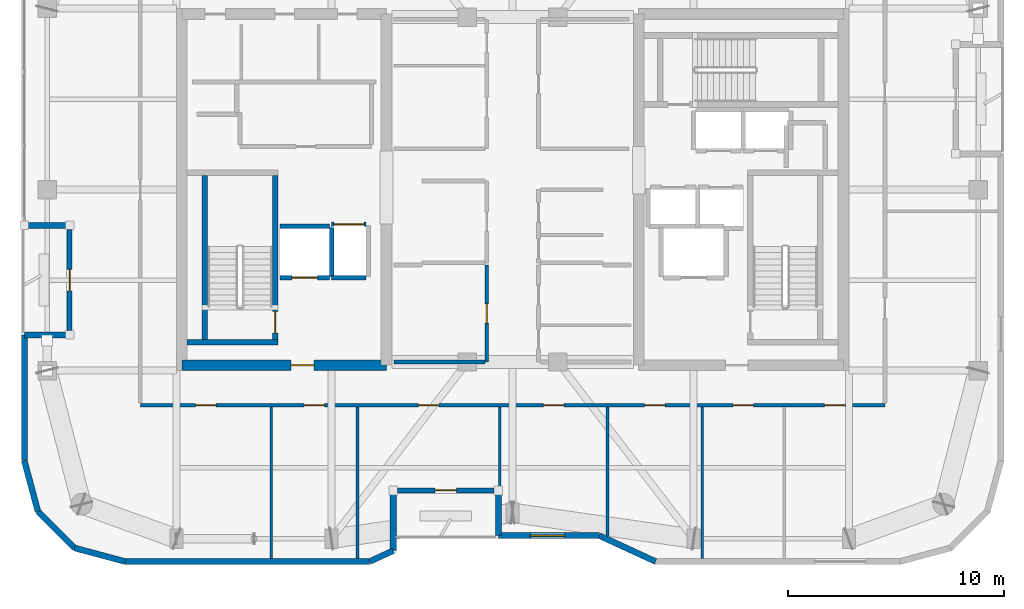
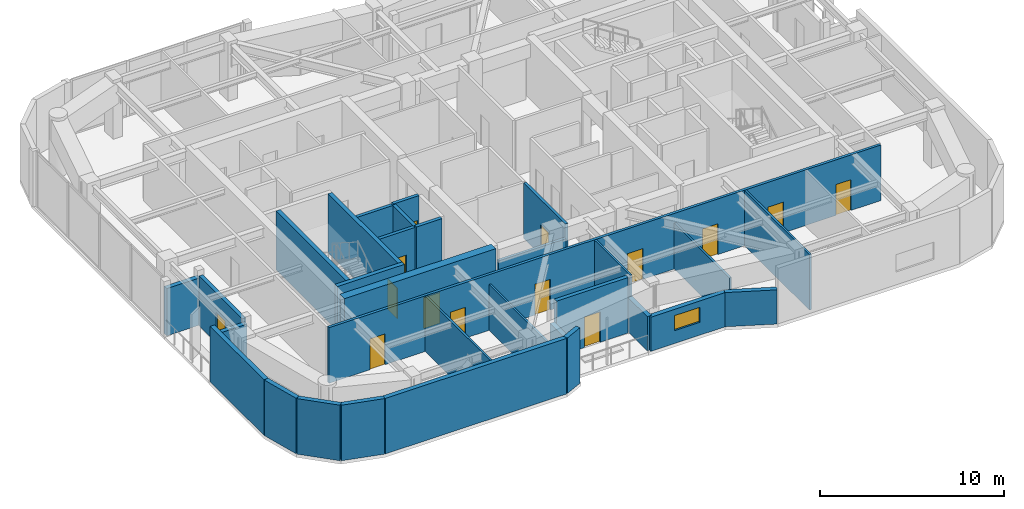
# One storey, part 10 of 15: 31 walls, 14 doors, 1 window, 15 openings.
"""IFC4 building model written with IfcOpenShell, lengths in metres."""

from ifc_helpers import new_model, si_unit, direction, frame, frame_2d, origin, place, context, subcontext, project, spatial, rectangle, extrude, material, layer, layer_set, type_object, element, fill, save


model = new_model("IFC4")

# Units and contexts
model_context = context("Model", 3, precision=1e-05, world=origin(), true_north=direction((0.0, 1.0)))
body_context = subcontext(model_context, "Body", "Model", "MODEL_VIEW")
ifc_project = project(units=[si_unit("LENGTHUNIT", "METRE"), si_unit("AREAUNIT", "SQUARE_METRE"), si_unit("VOLUMEUNIT", "CUBIC_METRE"), si_unit("PLANEANGLEUNIT", "RADIAN"), si_unit("MASSUNIT", "GRAM", prefix="KILO")], contexts=[model_context])

# Site, building, storey
site_placement = place(None, origin())
site = spatial("IfcSite", under=ifc_project, at=site_placement, CompositionType="ELEMENT")
building_placement = place(site_placement, origin())
building = spatial("IfcBuilding", under=site, at=building_placement, Name="Kiyonajd Concourse Tower", CompositionType="ELEMENT")
storey_placement = place(building_placement, frame((0.0, 0.0, 321.89990234375)))
storey = spatial("IfcBuildingStorey", under=building, at=storey_placement, Name="L81", CompositionType="ELEMENT", Elevation=321.89990234375)

# Wall, opening, door
ifc_material_1 = material(Name="Concrete C60/75", Category="concrete")
ifc_layer_1 = layer(ifc_material_1, 0.5)
ifc_layer_set_1 = layer_set([ifc_layer_1], Name="Concrete C60/75")
wall_type_1 = type_object("IfcWallType", Name="WL-CORE-500", PredefinedType="SHEAR", material=ifc_layer_set_1)
wall_1_placement = place(storey_placement, frame((32.64990234375, 27.85009765625, 0.0), z_axis=(0.0, 0.0, 1.0), x_axis=(1.0, 0.0, 0.0)))
wall_1 = element("IfcWall", 1, at=wall_1_placement, inside=storey, type_object=wall_type_1, Name="L81 West Core South Shear Wall", PredefinedType="SHEAR", context=body_context, shape_type="SweptSolid", body=[
    extrude(rectangle(XDim=9.5, YDim=0.5, at=frame_2d((4.75, 0.0))), origin(), (0.0, 0.0, 1.0), 3.900146484375),
])
opening_1_placement = place(wall_1_placement, frame((5.074951171875, 0.0, 0.0)))
opening_1 = element("IfcOpeningElement", 2, at=opening_1_placement, cuts=wall_1, Name="Opening DF5", PredefinedType="OPENING", context=body_context, shape_type="SweptSolid", body=[
    extrude(rectangle(XDim=1.050048828125, YDim=2.0400390625, at=frame_2d((0.52490234375, 1.02001953125))), frame((0.0, 0.260009765625, 0.0), z_axis=(0.0, -1.0, 0.0), x_axis=(1.0, 0.0, 0.0)), (0.0, 0.0, 1.0), 0.52001953125),
])
ifc_material_2 = material(Name="Brushed Stainless Steel Cab Assembly", Category="steel")
door_type_1 = type_object("IfcDoorType", Name="DR-FD45-1050", OperationType="NOTDEFINED", PredefinedType="DOOR", material=ifc_material_2)
door_1_placement = place(opening_1_placement, origin())
door_1 = element("IfcDoor", 3, at=door_1_placement, inside=storey, type_object=door_type_1, Name="L81 Firefighting Lift Lobby W Smoke Door", OperationType="SINGLE_SWING_LEFT", OverallHeight=2.0400390625, OverallWidth=1.050048828125, PredefinedType="DOOR", context=body_context, shape_type="SweptSolid", body=[
    extrude(rectangle(XDim=1.050048828125, YDim=2.0400390625, at=frame_2d((0.52490234375, 1.02001953125))), frame((0.0, 0.02490234375, 0.0), z_axis=(0.0, -1.0, 0.0), x_axis=(1.0, 0.0, 0.0)), (0.0, 0.0, 1.0), 0.050048828125),
])
fill(opening_1, door_1)

# Walls
ifc_material_3 = material(Name="Precast concrete C50/60", Category="concrete")
ifc_layer_2 = layer(ifc_material_3, 0.280029296875)
ifc_layer_set_2 = layer_set([ifc_layer_2], Name="Precast concrete C50/60")
wall_type_2 = type_object("IfcWallType", Name="WL-EXT-280", PredefinedType="SOLIDWALL", material=ifc_layer_set_2)
wall_2_placement = place(storey_placement, frame((25.968505859375, 21.072509765625, 0.0), z_axis=(0.0, 0.0, 1.0), x_axis=(-0.258751159445, 0.965944013639, 0.0)))
element("IfcWall", 4, at=wall_2_placement, inside=storey, type_object=wall_type_2, Name="L81 Exterior Concrete Frame Wall 00", PredefinedType="SOLIDWALL", context=body_context, shape_type="SweptSolid", body=[
    extrude(rectangle(XDim=2.4287109375, YDim=0.280029296875, at=frame_2d((1.21435546875, 0.0))), origin(), (0.0, 0.0, 1.0), 3.68017578125),
])
wall_3_placement = place(storey_placement, frame((25.340087890625, 23.41845703125, 0.0), z_axis=(0.0, 0.0, 1.0), x_axis=(0.0, 1.0, 0.0)))
element("IfcWall", 5, at=wall_3_placement, inside=storey, type_object=wall_type_2, Name="L81 Exterior Concrete Frame Wall 01", PredefinedType="SOLIDWALL", context=body_context, shape_type="SweptSolid", body=[
    extrude(rectangle(XDim=5.841552734375, YDim=0.280029296875, at=frame_2d((2.9208984375, 0.0))), origin(), (0.0, 0.0, 1.0), 3.68017578125),
])
for number, where, z_axis, x_axis, name in (
    (6, (25.340087890625, 29.260009765625, 0.0), (0.0, 0.0, 1.0), (1.0, 0.0, 0.0), "L81 Exterior Concrete Frame Wall 02"),
    (7, (27.43994140625, 34.340087890625, 0.0), (0.0, 0.0, 1.0), (-1.0, 0.0, 0.0), "L81 Exterior Concrete Frame Wall 04"),
):
    element("IfcWall", number, at=place(storey_placement, frame(where, z_axis=z_axis, x_axis=x_axis)), inside=storey, type_object=wall_type_2, Name=name, PredefinedType="SOLIDWALL", context=body_context, shape_type="SweptSolid", body=[
        extrude(rectangle(XDim=2.099853515625, YDim=0.280029296875, at=frame_2d((1.0498046875, 0.0))), origin(), (0.0, 0.0, 1.0), 3.1259765625),
    ])
wall_4_placement = place(storey_placement, frame((54.630615234375, 18.739990234375, 0.0), z_axis=(0.0, 0.0, 1.0), x_axis=(-0.907956889006, 0.419063584324, 0.0)))
element("IfcWall", 8, at=wall_4_placement, inside=storey, type_object=wall_type_2, Name="L81 Exterior Concrete Frame Wall 29", PredefinedType="SOLIDWALL", context=body_context, shape_type="SweptSolid", body=[
    extrude(rectangle(XDim=2.863525390625, YDim=0.280029296875, at=frame_2d((1.431640625, 0.0))), origin(), (0.0, 0.0, 1.0), 2.26513671875),
])

# Wall, opening, window
wall_5_placement = place(storey_placement, frame((52.03076171875, 19.93994140625, 0.0), z_axis=(0.0, 0.0, 1.0), x_axis=(-1.0, 0.0, 0.0)))
wall_5 = element("IfcWall", 9, at=wall_5_placement, inside=storey, type_object=wall_type_2, Name="L81 Exterior Concrete Frame Wall 30", PredefinedType="SOLIDWALL", context=body_context, shape_type="SweptSolid", body=[
    extrude(rectangle(XDim=4.690673828125, YDim=0.280029296875, at=frame_2d((2.34521484375, 0.0))), origin(), (0.0, 0.0, 1.0), 2.26513671875),
])
opening_2_placement = place(wall_5_placement, frame((1.610107421875, 0.0, 0.85009765625)))
opening_2 = element("IfcOpeningElement", 10, at=opening_2_placement, cuts=wall_5, Name="Opening WN6", PredefinedType="OPENING", context=body_context, shape_type="SweptSolid", body=[
    extrude(rectangle(XDim=1.60009765625, YDim=1.0, at=frame_2d((0.800048828125, 0.5))), frame((0.0, 0.14990234375, 0.0), z_axis=(0.0, -1.0, 0.0), x_axis=(1.0, 0.0, 0.0)), (0.0, 0.0, 1.0), 0.300048828125),
])
ifc_material_4 = material(Name="Double Low-E Insulated Glass", Category="glass")
window_type = type_object("IfcWindowType", Name="WN-VIS-1600x1000", PartitioningType="SINGLE_PANEL", PredefinedType="WINDOW", material=ifc_material_4)
window_placement = place(opening_2_placement, origin())
window = element("IfcWindow", 11, at=window_placement, inside=storey, type_object=window_type, Name="L81 Modular Facade Vision Window 30", OverallHeight=1.0, OverallWidth=1.60009765625, PartitioningType="SINGLE_PANEL", PredefinedType="WINDOW", context=body_context, shape_type="SweptSolid", body=[
    extrude(rectangle(XDim=1.60009765625, YDim=1.0, at=frame_2d((0.800048828125, 0.5))), frame((0.0, 0.030029296875, 0.0), z_axis=(0.0, -1.0, 0.0), x_axis=(1.0, 0.0, 0.0)), (0.0, 0.0, 1.0), 0.06005859375),
])
fill(opening_2, window)

# Walls
wall_6_placement = place(storey_placement, frame((47.340087890625, 19.93994140625, 0.0), z_axis=(0.0, 0.0, 1.0), x_axis=(0.0, 1.0, 0.0)))
element("IfcWall", 12, at=wall_6_placement, inside=storey, type_object=wall_type_2, Name="L81 Exterior Concrete Frame Wall 31", PredefinedType="SOLIDWALL", context=body_context, shape_type="SweptSolid", body=[
    extrude(rectangle(XDim=2.10009765625, YDim=0.280029296875, at=frame_2d((1.050048828125, 0.0))), origin(), (0.0, 0.0, 1.0), 2.26513671875),
])
wall_7_placement = place(storey_placement, frame((42.4599609375, 22.0400390625, 0.0), z_axis=(0.0, 0.0, 1.0), x_axis=(0.0, -1.0, 0.0)))
element("IfcWall", 13, at=wall_7_placement, inside=storey, type_object=wall_type_2, Name="L81 Exterior Concrete Frame Wall 33", PredefinedType="SOLIDWALL", context=body_context, shape_type="SweptSolid", body=[
    extrude(rectangle(XDim=2.79638671875, YDim=0.280029296875, at=frame_2d((1.398193359375, 0.0))), origin(), (0.0, 0.0, 1.0), 2.26513671875),
])
wall_8_placement = place(storey_placement, frame((42.4599609375, 19.24365234375, 0.0), z_axis=(0.0, 0.0, 1.0), x_axis=(-0.907893953211, -0.419199916176, 0.0)))
element("IfcWall", 14, at=wall_8_placement, inside=storey, type_object=wall_type_2, Name="L81 Exterior Concrete Frame Wall 34", PredefinedType="SOLIDWALL", context=body_context, shape_type="SweptSolid", body=[
    extrude(rectangle(XDim=1.201416015625, YDim=0.280029296875, at=frame_2d((0.6005859375, 0.0))), origin(), (0.0, 0.0, 1.0), 3.68017578125),
])
wall_9_placement = place(storey_placement, frame((41.369140625, 18.739990234375, 0.0), z_axis=(0.0, 0.0, 1.0), x_axis=(-1.0, 0.0, 0.0)))
element("IfcWall", 15, at=wall_9_placement, inside=storey, type_object=wall_type_2, Name="L81 Exterior Concrete Frame Wall 35", PredefinedType="SOLIDWALL", context=body_context, shape_type="SweptSolid", body=[
    extrude(rectangle(XDim=11.350830078125, YDim=0.280029296875, at=frame_2d((5.67529296875, 0.0))), origin(), (0.0, 0.0, 1.0), 3.68017578125),
])
wall_10_placement = place(storey_placement, frame((30.018310546875, 18.739990234375, 0.0), z_axis=(0.0, 0.0, 1.0), x_axis=(-0.965937282298, 0.25877628691, 0.0)))
element("IfcWall", 16, at=wall_10_placement, inside=storey, type_object=wall_type_2, Name="L81 Exterior Concrete Frame Wall 36", PredefinedType="SOLIDWALL", context=body_context, shape_type="SweptSolid", body=[
    extrude(rectangle(XDim=2.428466796875, YDim=0.280029296875, at=frame_2d((1.21435546875, 0.0))), origin(), (0.0, 0.0, 1.0), 3.68017578125),
])
wall_11_placement = place(storey_placement, frame((27.672607421875, 19.368408203125, 0.0), z_axis=(0.0, 0.0, 1.0), x_axis=(-0.707106781187, 0.707106781187, 0.0)))
element("IfcWall", 17, at=wall_11_placement, inside=storey, type_object=wall_type_2, Name="L81 Exterior Concrete Frame Wall 37", PredefinedType="SOLIDWALL", context=body_context, shape_type="SweptSolid", body=[
    extrude(rectangle(XDim=2.409912109375, YDim=0.280029296875, at=frame_2d((1.205078125, 0.0))), origin(), (0.0, 0.0, 1.0), 3.68017578125),
])

# Wall, opening, door
ifc_layer_3 = layer(ifc_material_3, 0.239990234375)
ifc_layer_set_3 = layer_set([ifc_layer_3], Name="Precast concrete C50/60")
wall_type_3 = type_object("IfcWallType", Name="WL-LOG-240", PredefinedType="SOLIDWALL", material=ifc_layer_set_3)
wall_12_placement = place(storey_placement, frame((27.43994140625, 29.455078125, 0.0), z_axis=(0.0, 0.0, 1.0), x_axis=(0.0, 1.0, 0.0)))
wall_12 = element("IfcWall", 18, at=wall_12_placement, inside=storey, type_object=wall_type_3, Name="L81 Recessed Loggia Thermal Wall LOG-W", PredefinedType="SOLIDWALL", context=body_context, shape_type="SweptSolid", body=[
    extrude(rectangle(XDim=4.68994140625, YDim=0.239990234375, at=frame_2d((2.344970703125, 0.0))), origin(), (0.0, 0.0, 1.0), 3.31103515625),
])
opening_3_placement = place(wall_12_placement, frame((1.844970703125, 0.0, 0.0)))
opening_3 = element("IfcOpeningElement", 19, at=opening_3_placement, cuts=wall_12, Name="Opening DL1", PredefinedType="OPENING", context=body_context, shape_type="SweptSolid", body=[
    extrude(rectangle(XDim=1.0, YDim=2.02001953125, at=frame_2d((0.5, 1.010009765625))), frame((0.0, 0.1298828125, 0.0), z_axis=(0.0, -1.0, 0.0), x_axis=(1.0, 0.0, 0.0)), (0.0, 0.0, 1.0), 0.260009765625),
])
ifc_material_5 = material(Name="Thermally Broken Anodised Aluminium", Category="aluminium")
door_type_2 = type_object("IfcDoorType", Name="DR-LOG-1000", OperationType="NOTDEFINED", PredefinedType="DOOR", material=ifc_material_5)
door_2_placement = place(opening_3_placement, origin())
door_2 = element("IfcDoor", 20, at=door_2_placement, inside=storey, type_object=door_type_2, Name="L81 Engawa Loggia Access Door LOG-W", OperationType="SINGLE_SWING_LEFT", OverallHeight=2.02001953125, OverallWidth=1.0, PredefinedType="DOOR", context=body_context, shape_type="SweptSolid", body=[
    extrude(rectangle(XDim=1.0, YDim=2.02001953125, at=frame_2d((0.5, 1.010009765625))), frame((0.0, 0.02490234375, 0.0), z_axis=(0.0, -1.0, 0.0), x_axis=(1.0, 0.0, 0.0)), (0.0, 0.0, 1.0), 0.050048828125),
])
fill(opening_3, door_2)

wall_13_placement = place(storey_placement, frame((47.14501953125, 22.0400390625, 0.0), z_axis=(0.0, 0.0, 1.0), x_axis=(-1.0, 0.0, 0.0)))
wall_13 = element("IfcWall", 21, at=wall_13_placement, inside=storey, type_object=wall_type_3, Name="L81 Recessed Loggia Thermal Wall LOG-S", PredefinedType="SOLIDWALL", context=body_context, shape_type="SweptSolid", body=[
    extrude(rectangle(XDim=4.489990234375, YDim=0.239990234375, at=frame_2d((2.2451171875, 0.0))), origin(), (0.0, 0.0, 1.0), 3.68017578125),
])
opening_4_placement = place(wall_13_placement, frame((1.7451171875, 0.0, 0.0)))
opening_4 = element("IfcOpeningElement", 22, at=opening_4_placement, cuts=wall_13, Name="Opening DL1", PredefinedType="OPENING", context=body_context, shape_type="SweptSolid", body=[
    extrude(rectangle(XDim=1.0, YDim=2.02001953125, at=frame_2d((0.5, 1.010009765625))), frame((0.0, 0.1298828125, 0.0), z_axis=(0.0, -1.0, 0.0), x_axis=(1.0, 0.0, 0.0)), (0.0, 0.0, 1.0), 0.260009765625),
])
door_3_placement = place(opening_4_placement, origin())
door_3 = element("IfcDoor", 23, at=door_3_placement, inside=storey, type_object=door_type_2, Name="L81 Engawa Loggia Access Door LOG-S", OperationType="SINGLE_SWING_RIGHT", OverallHeight=2.02001953125, OverallWidth=1.0, PredefinedType="DOOR", context=body_context, shape_type="SweptSolid", body=[
    extrude(rectangle(XDim=1.0, YDim=2.02001953125, at=frame_2d((0.5, 1.010009765625))), frame((0.0, 0.02490234375, 0.0), z_axis=(0.0, -1.0, 0.0), x_axis=(1.0, 0.0, 0.0)), (0.0, 0.0, 1.0), 0.050048828125),
])
fill(opening_4, door_3)

# Walls
ifc_material_6 = material(Name="Gypsum Board on Cold-Formed Steel Stud", Category="steel")
ifc_layer_4 = layer(ifc_material_6, 0.125)
ifc_layer_set_4 = layer_set([ifc_layer_4], Name="Gypsum Board on Cold-Formed Steel Stud")
wall_type_4 = type_object("IfcWallType", Name="WL-PART-125", PredefinedType="PARTITIONING", material=ifc_layer_set_4)
wall_14_placement = place(storey_placement, frame((36.800048828125, 18.875, 0.0), z_axis=(0.0, 0.0, 1.0), x_axis=(0.0, 1.0, 0.0)))
element("IfcWall", 24, at=wall_14_placement, inside=storey, type_object=wall_type_4, Name="L81 Interior Partition Wall", PredefinedType="PARTITIONING", context=body_context, shape_type="SweptSolid", body=[
    extrude(rectangle(XDim=7.0380859375, YDim=0.125, at=frame_2d((3.51904296875, 0.0))), origin(), (0.0, 0.0, 1.0), 3.68017578125),
])
wall_15_placement = place(storey_placement, frame((40.800048828125, 18.875, 0.0), z_axis=(0.0, 0.0, 1.0), x_axis=(0.0, 1.0, 0.0)))
element("IfcWall", 25, at=wall_15_placement, inside=storey, type_object=wall_type_4, Name="L81 Interior Partition Wall", PredefinedType="PARTITIONING", context=body_context, shape_type="SweptSolid", body=[
    extrude(rectangle(XDim=7.0380859375, YDim=0.125, at=frame_2d((3.51904296875, 0.0))), origin(), (0.0, 0.0, 1.0), 3.043212890625),
])
wall_16_placement = place(storey_placement, frame((47.39990234375, 22.0400390625, 0.0), z_axis=(0.0, 0.0, 1.0), x_axis=(0.0, 1.0, 0.0)))
element("IfcWall", 26, at=wall_16_placement, inside=storey, type_object=wall_type_4, Name="L81 Interior Partition Wall", PredefinedType="PARTITIONING", context=body_context, shape_type="SweptSolid", body=[
    extrude(rectangle(XDim=3.873046875, YDim=0.125, at=frame_2d((1.9365234375, 0.0))), origin(), (0.0, 0.0, 1.0), 3.68017578125),
])
wall_17_placement = place(storey_placement, frame((52.39990234375, 19.9208984375, 0.0), z_axis=(0.0, 0.0, 1.0), x_axis=(0.0, 1.0, 0.0)))
element("IfcWall", 27, at=wall_17_placement, inside=storey, type_object=wall_type_4, Name="L81 Interior Partition Wall", PredefinedType="PARTITIONING", context=body_context, shape_type="SweptSolid", body=[
    extrude(rectangle(XDim=5.9921875, YDim=0.125, at=frame_2d((2.99609375, 0.0))), origin(), (0.0, 0.0, 1.0), 3.043212890625),
])
wall_18_placement = place(storey_placement, frame((56.800048828125, 18.875, 0.0), z_axis=(0.0, 0.0, 1.0), x_axis=(0.0, 1.0, 0.0)))
element("IfcWall", 28, at=wall_18_placement, inside=storey, type_object=wall_type_4, Name="L81 Interior Partition Wall", PredefinedType="PARTITIONING", context=body_context, shape_type="SweptSolid", body=[
    extrude(rectangle(XDim=7.0380859375, YDim=0.125, at=frame_2d((3.51904296875, 0.0))), origin(), (0.0, 0.0, 1.0), 3.68017578125),
])

# Wall, opening, door
ifc_layer_5 = layer(ifc_material_6, 0.2099609375)
ifc_layer_set_5 = layer_set([ifc_layer_5], Name="Gypsum Board on Cold-Formed Steel Stud")
wall_type_5 = type_object("IfcWallType", Name="WL-SHAFT-210", PredefinedType="PARTITIONING", material=ifc_layer_set_5)
wall_19_placement = place(storey_placement, frame((37.199951171875, 31.89990234375, 0.0), z_axis=(0.0, 0.0, 1.0), x_axis=(1.0, 0.0, 0.0)))
wall_19 = element("IfcWall", 29, at=wall_19_placement, inside=storey, type_object=wall_type_5, Name="L81 Shaft Enclosure Wall", PredefinedType="PARTITIONING", context=body_context, shape_type="SweptSolid", body=[
    extrude(rectangle(XDim=2.300048828125, YDim=0.2099609375, at=frame_2d((1.14990234375, 0.0))), origin(), (0.0, 0.0, 1.0), 3.68017578125),
])
opening_5_placement = place(wall_19_placement, frame((0.550048828125, 0.0, 0.0)))
opening_5 = element("IfcOpeningElement", 30, at=opening_5_placement, cuts=wall_19, Name="Opening LD2", PredefinedType="OPENING", context=body_context, shape_type="SweptSolid", body=[
    extrude(rectangle(XDim=1.199951171875, YDim=2.0400390625, at=frame_2d((0.60009765625, 1.02001953125))), frame((0.0, 0.114990234375, 0.0), z_axis=(0.0, -1.0, 0.0), x_axis=(1.0, 0.0, 0.0)), (0.0, 0.0, 1.0), 0.22998046875),
])
door_type_3 = type_object("IfcDoorType", Name="DR-LD-1200", OperationType="DOUBLE_DOOR_SLIDING", PredefinedType="DOOR", material=ifc_material_2)
door_4_placement = place(opening_5_placement, origin())
door_4 = element("IfcDoor", 31, at=door_4_placement, inside=storey, type_object=door_type_3, Name="L81 Lift FFL1 Sliding Landing Door", OperationType="DOUBLE_DOOR_SLIDING", OverallHeight=2.0400390625, OverallWidth=1.199951171875, PredefinedType="DOOR", context=body_context, shape_type="SweptSolid", body=[
    extrude(rectangle(XDim=1.199951171875, YDim=2.0400390625, at=frame_2d((0.60009765625, 1.02001953125))), frame((0.0, 0.02490234375, 0.0), z_axis=(0.0, -1.0, 0.0), x_axis=(1.0, 0.0, 0.0)), (0.0, 0.0, 1.0), 0.050048828125),
])
fill(opening_5, door_4)

# Walls
wall_20_placement = place(storey_placement, frame((37.199951171875, 34.300048828125, 0.0), z_axis=(0.0, 0.0, 1.0), x_axis=(1.0, 0.0, 0.0)))
element("IfcWall", 32, at=wall_20_placement, inside=storey, type_object=wall_type_5, Name="L81 Shaft Enclosure Wall", PredefinedType="PARTITIONING", context=body_context, shape_type="SweptSolid", body=[
    extrude(rectangle(XDim=2.300048828125, YDim=0.2099609375, at=frame_2d((1.14990234375, 0.0))), origin(), (0.0, 0.0, 1.0), 3.68017578125),
])
wall_21_placement = place(storey_placement, frame((39.60009765625, 31.9599609375, 0.0), z_axis=(0.0, 0.0, 1.0), x_axis=(0.0, 1.0, 0.0)))
element("IfcWall", 33, at=wall_21_placement, inside=storey, type_object=wall_type_5, Name="L81 Shaft Enclosure Wall", PredefinedType="PARTITIONING", context=body_context, shape_type="SweptSolid", body=[
    extrude(rectangle(XDim=2.280029296875, YDim=0.2099609375, at=frame_2d((1.14013671875, 0.0))), origin(), (0.0, 0.0, 1.0), 3.68017578125),
])

# Wall, opening, door
wall_22_placement = place(storey_placement, frame((39.60009765625, 34.39990234375, 0.0), z_axis=(0.0, 0.0, 1.0), x_axis=(1.0, 0.0, 0.0)))
wall_22 = element("IfcWall", 34, at=wall_22_placement, inside=storey, type_object=wall_type_5, Name="L81 Shaft Enclosure Wall", PredefinedType="PARTITIONING", context=body_context, shape_type="SweptSolid", body=[
    extrude(rectangle(XDim=1.599853515625, YDim=0.2099609375, at=frame_2d((0.7998046875, 0.0))), origin(), (0.0, 0.0, 1.0), 3.68017578125),
])
opening_6_placement = place(wall_22_placement, frame((0.10009765625, 0.0, 0.0)))
opening_6 = element("IfcOpeningElement", 35, at=opening_6_placement, cuts=wall_22, Name="Opening LD3", PredefinedType="OPENING", context=body_context, shape_type="SweptSolid", body=[
    extrude(rectangle(XDim=1.39990234375, YDim=2.06005859375, at=frame_2d((0.699951171875, 1.030029296875))), frame((0.0, 0.114990234375, 0.0), z_axis=(0.0, -1.0, 0.0), x_axis=(1.0, 0.0, 0.0)), (0.0, 0.0, 1.0), 0.22998046875),
])
door_type_4 = type_object("IfcDoorType", Name="DR-LD-1400", OperationType="DOUBLE_DOOR_SLIDING", PredefinedType="DOOR", material=ifc_material_2)
door_5_placement = place(opening_6_placement, origin())
door_5 = element("IfcDoor", 36, at=door_5_placement, inside=storey, type_object=door_type_4, Name="L81 Lift SVL1 Sliding Landing Door", OperationType="DOUBLE_DOOR_SLIDING", OverallHeight=2.06005859375, OverallWidth=1.39990234375, PredefinedType="DOOR", context=body_context, shape_type="SweptSolid", body=[
    extrude(rectangle(XDim=1.39990234375, YDim=2.06005859375, at=frame_2d((0.699951171875, 1.030029296875))), frame((0.0, 0.02490234375, 0.0), z_axis=(0.0, -1.0, 0.0), x_axis=(1.0, 0.0, 0.0)), (0.0, 0.0, 1.0), 0.050048828125),
])
fill(opening_6, door_5)

# Wall
wall_23_placement = place(storey_placement, frame((39.60009765625, 31.89990234375, 0.0), z_axis=(0.0, 0.0, 1.0), x_axis=(1.0, 0.0, 0.0)))
element("IfcWall", 37, at=wall_23_placement, inside=storey, type_object=wall_type_5, Name="L81 Shaft Enclosure Wall", PredefinedType="PARTITIONING", context=body_context, shape_type="SweptSolid", body=[
    extrude(rectangle(XDim=1.599853515625, YDim=0.2099609375, at=frame_2d((0.7998046875, 0.0))), origin(), (0.0, 0.0, 1.0), 3.68017578125),
])

# Wall, opening, door
ifc_layer_6 = layer(ifc_material_6, 0.169921875)
ifc_layer_set_6 = layer_set([ifc_layer_6], Name="Gypsum Board on Cold-Formed Steel Stud")
wall_type_6 = type_object("IfcWallType", Name="WL-SMK-170", PredefinedType="PARTITIONING", material=ifc_layer_set_6)
wall_24_placement = place(storey_placement, frame((46.800048828125, 28.0, 0.0), z_axis=(0.0, 0.0, 1.0), x_axis=(0.0, 1.0, 0.0)))
wall_24 = element("IfcWall", 38, at=wall_24_placement, inside=storey, type_object=wall_type_6, Name="L81 Interior Partition Wall", PredefinedType="PARTITIONING", context=body_context, shape_type="SweptSolid", body=[
    extrude(rectangle(XDim=4.5, YDim=0.169921875, at=frame_2d((2.25, 0.0))), origin(), (0.0, 0.0, 1.0), 3.68017578125),
])
opening_7_placement = place(wall_24_placement, frame((1.800048828125, 0.0, 0.0)))
opening_7 = element("IfcOpeningElement", 39, at=opening_7_placement, cuts=wall_24, Name="Opening DI2", PredefinedType="OPENING", context=body_context, shape_type="SweptSolid", body=[
    extrude(rectangle(XDim=0.89990234375, YDim=2.02001953125, at=frame_2d((0.449951171875, 1.010009765625))), frame((0.0, 0.094970703125, 0.0), z_axis=(0.0, -1.0, 0.0), x_axis=(1.0, 0.0, 0.0)), (0.0, 0.0, 1.0), 0.18994140625),
])
ifc_material_7 = material(Name="Natural Oak Acoustic Timber Veneer", Category="wood")
door_type_5 = type_object("IfcDoorType", Name="DR-INT-900", OperationType="NOTDEFINED", PredefinedType="DOOR", material=ifc_material_7)
door_6_placement = place(opening_7_placement, origin())
door_6 = element("IfcDoor", 40, at=door_6_placement, inside=storey, type_object=door_type_5, Name="L81 Interior Door", OperationType="SINGLE_SWING_LEFT", OverallHeight=2.02001953125, OverallWidth=0.89990234375, PredefinedType="DOOR", context=body_context, shape_type="SweptSolid", body=[
    extrude(rectangle(XDim=0.89990234375, YDim=2.02001953125, at=frame_2d((0.449951171875, 1.010009765625))), frame((0.0, 0.02490234375, 0.0), z_axis=(0.0, -1.0, 0.0), x_axis=(1.0, 0.0, 0.0)), (0.0, 0.0, 1.0), 0.050048828125),
])
fill(opening_7, door_6)

# Wall
wall_25_placement = place(storey_placement, frame((42.5, 28.0, 0.0), z_axis=(0.0, 0.0, 1.0), x_axis=(1.0, 0.0, 0.0)))
element("IfcWall", 41, at=wall_25_placement, inside=storey, type_object=wall_type_6, Name="L81 Interior Partition Wall", PredefinedType="PARTITIONING", context=body_context, shape_type="SweptSolid", body=[
    extrude(rectangle(XDim=4.212890625, YDim=0.169921875, at=frame_2d((2.1064453125, 0.0))), origin(), (0.0, 0.0, 1.0), 2.76513671875),
])

# Wall, openings, doors
wall_26_placement = place(storey_placement, frame((30.72509765625, 26.0, 0.0), z_axis=(0.0, 0.0, 1.0), x_axis=(1.0, 0.0, 0.0)))
wall_26 = element("IfcWall", 42, at=wall_26_placement, inside=storey, type_object=wall_type_6, Name="L81 Interior Partition Wall", PredefinedType="PARTITIONING", context=body_context, shape_type="SweptSolid", body=[
    extrude(rectangle(XDim=34.5498046875, YDim=0.169921875, at=frame_2d((17.27490234375, 0.0))), origin(), (0.0, 0.0, 1.0), 3.68017578125),
])
opening_8_placement = place(wall_26_placement, frame((2.56298828125, 0.0, 0.0)))
opening_8 = element("IfcOpeningElement", 43, at=opening_8_placement, cuts=wall_26, Name="Opening DI1", PredefinedType="OPENING", context=body_context, shape_type="SweptSolid", body=[
    extrude(rectangle(XDim=0.949951171875, YDim=2.0400390625, at=frame_2d((0.47509765625, 1.02001953125))), frame((0.0, 0.094970703125, 0.0), z_axis=(0.0, -1.0, 0.0), x_axis=(1.0, 0.0, 0.0)), (0.0, 0.0, 1.0), 0.18994140625),
])
opening_9_placement = place(wall_26_placement, frame((7.60009765625, 0.0, 0.0)))
opening_9 = element("IfcOpeningElement", 44, at=opening_9_placement, cuts=wall_26, Name="Opening DI1", PredefinedType="OPENING", context=body_context, shape_type="SweptSolid", body=[
    extrude(rectangle(XDim=0.949951171875, YDim=2.0400390625, at=frame_2d((0.47509765625, 1.02001953125))), frame((0.0, 0.094970703125, 0.0), z_axis=(0.0, -1.0, 0.0), x_axis=(1.0, 0.0, 0.0)), (0.0, 0.0, 1.0), 0.18994140625),
])
opening_10_placement = place(wall_26_placement, frame((12.89990234375, 0.0, 0.0)))
opening_10 = element("IfcOpeningElement", 45, at=opening_10_placement, cuts=wall_26, Name="Opening DI1", PredefinedType="OPENING", context=body_context, shape_type="SweptSolid", body=[
    extrude(rectangle(XDim=0.949951171875, YDim=2.0400390625, at=frame_2d((0.47509765625, 1.02001953125))), frame((0.0, 0.094970703125, 0.0), z_axis=(0.0, -1.0, 0.0), x_axis=(1.0, 0.0, 0.0)), (0.0, 0.0, 1.0), 0.18994140625),
])
opening_11_placement = place(wall_26_placement, frame((18.699951171875, 0.0, 0.0)))
opening_11 = element("IfcOpeningElement", 46, at=opening_11_placement, cuts=wall_26, Name="Opening DI1", PredefinedType="OPENING", context=body_context, shape_type="SweptSolid", body=[
    extrude(rectangle(XDim=0.949951171875, YDim=2.0400390625, at=frame_2d((0.47509765625, 1.02001953125))), frame((0.0, 0.094970703125, 0.0), z_axis=(0.0, -1.0, 0.0), x_axis=(1.0, 0.0, 0.0)), (0.0, 0.0, 1.0), 0.18994140625),
])
opening_12_placement = place(wall_26_placement, frame((23.39990234375, 0.0, 0.0)))
opening_12 = element("IfcOpeningElement", 47, at=opening_12_placement, cuts=wall_26, Name="Opening DI1", PredefinedType="OPENING", context=body_context, shape_type="SweptSolid", body=[
    extrude(rectangle(XDim=0.949951171875, YDim=2.0400390625, at=frame_2d((0.47509765625, 1.02001953125))), frame((0.0, 0.094970703125, 0.0), z_axis=(0.0, -1.0, 0.0), x_axis=(1.0, 0.0, 0.0)), (0.0, 0.0, 1.0), 0.18994140625),
])
opening_13_placement = place(wall_26_placement, frame((27.5, 0.0, 0.0)))
opening_13 = element("IfcOpeningElement", 48, at=opening_13_placement, cuts=wall_26, Name="Opening DI1", PredefinedType="OPENING", context=body_context, shape_type="SweptSolid", body=[
    extrude(rectangle(XDim=0.949951171875, YDim=2.0400390625, at=frame_2d((0.47509765625, 1.02001953125))), frame((0.0, 0.094970703125, 0.0), z_axis=(0.0, -1.0, 0.0), x_axis=(1.0, 0.0, 0.0)), (0.0, 0.0, 1.0), 0.18994140625),
])
opening_14_placement = place(wall_26_placement, frame((31.738037109375, 0.0, 0.0)))
opening_14 = element("IfcOpeningElement", 49, at=opening_14_placement, cuts=wall_26, Name="Opening DI1", PredefinedType="OPENING", context=body_context, shape_type="SweptSolid", body=[
    extrude(rectangle(XDim=0.949951171875, YDim=2.0400390625, at=frame_2d((0.47509765625, 1.02001953125))), frame((0.0, 0.094970703125, 0.0), z_axis=(0.0, -1.0, 0.0), x_axis=(1.0, 0.0, 0.0)), (0.0, 0.0, 1.0), 0.18994140625),
])
door_type_6 = type_object("IfcDoorType", Name="DR-INT-950", OperationType="NOTDEFINED", PredefinedType="DOOR", material=ifc_material_7)
door_7_placement = place(opening_8_placement, origin())
door_7 = element("IfcDoor", 50, at=door_7_placement, inside=storey, type_object=door_type_6, Name="L81 Interior Door", OperationType="SINGLE_SWING_LEFT", OverallHeight=2.0400390625, OverallWidth=0.949951171875, PredefinedType="DOOR", context=body_context, shape_type="SweptSolid", body=[
    extrude(rectangle(XDim=0.949951171875, YDim=2.0400390625, at=frame_2d((0.47509765625, 1.02001953125))), frame((0.0, 0.02490234375, 0.0), z_axis=(0.0, -1.0, 0.0), x_axis=(1.0, 0.0, 0.0)), (0.0, 0.0, 1.0), 0.050048828125),
])
fill(opening_8, door_7)
door_8_placement = place(opening_9_placement, origin())
door_8 = element("IfcDoor", 51, at=door_8_placement, inside=storey, type_object=door_type_6, Name="L81 Interior Door", OperationType="SINGLE_SWING_RIGHT", OverallHeight=2.0400390625, OverallWidth=0.949951171875, PredefinedType="DOOR", context=body_context, shape_type="SweptSolid", body=[
    extrude(rectangle(XDim=0.949951171875, YDim=2.0400390625, at=frame_2d((0.47509765625, 1.02001953125))), frame((0.0, 0.02490234375, 0.0), z_axis=(0.0, -1.0, 0.0), x_axis=(1.0, 0.0, 0.0)), (0.0, 0.0, 1.0), 0.050048828125),
])
fill(opening_9, door_8)
door_9_placement = place(opening_10_placement, origin())
door_9 = element("IfcDoor", 52, at=door_9_placement, inside=storey, type_object=door_type_6, Name="L81 Interior Door", OperationType="SINGLE_SWING_LEFT", OverallHeight=2.0400390625, OverallWidth=0.949951171875, PredefinedType="DOOR", context=body_context, shape_type="SweptSolid", body=[
    extrude(rectangle(XDim=0.949951171875, YDim=2.0400390625, at=frame_2d((0.47509765625, 1.02001953125))), frame((0.0, 0.02490234375, 0.0), z_axis=(0.0, -1.0, 0.0), x_axis=(1.0, 0.0, 0.0)), (0.0, 0.0, 1.0), 0.050048828125),
])
fill(opening_10, door_9)
door_10_placement = place(opening_11_placement, origin())
door_10 = element("IfcDoor", 53, at=door_10_placement, inside=storey, type_object=door_type_6, Name="L81 Interior Door", OperationType="SINGLE_SWING_RIGHT", OverallHeight=2.0400390625, OverallWidth=0.949951171875, PredefinedType="DOOR", context=body_context, shape_type="SweptSolid", body=[
    extrude(rectangle(XDim=0.949951171875, YDim=2.0400390625, at=frame_2d((0.47509765625, 1.02001953125))), frame((0.0, 0.02490234375, 0.0), z_axis=(0.0, -1.0, 0.0), x_axis=(1.0, 0.0, 0.0)), (0.0, 0.0, 1.0), 0.050048828125),
])
fill(opening_11, door_10)
door_11_placement = place(opening_12_placement, origin())
door_11 = element("IfcDoor", 54, at=door_11_placement, inside=storey, type_object=door_type_6, Name="L81 Interior Door", OperationType="SINGLE_SWING_LEFT", OverallHeight=2.0400390625, OverallWidth=0.949951171875, PredefinedType="DOOR", context=body_context, shape_type="SweptSolid", body=[
    extrude(rectangle(XDim=0.949951171875, YDim=2.0400390625, at=frame_2d((0.47509765625, 1.02001953125))), frame((0.0, 0.02490234375, 0.0), z_axis=(0.0, -1.0, 0.0), x_axis=(1.0, 0.0, 0.0)), (0.0, 0.0, 1.0), 0.050048828125),
])
fill(opening_12, door_11)
door_12_placement = place(opening_13_placement, origin())
door_12 = element("IfcDoor", 55, at=door_12_placement, inside=storey, type_object=door_type_6, Name="L81 Interior Door", OperationType="SINGLE_SWING_RIGHT", OverallHeight=2.0400390625, OverallWidth=0.949951171875, PredefinedType="DOOR", context=body_context, shape_type="SweptSolid", body=[
    extrude(rectangle(XDim=0.949951171875, YDim=2.0400390625, at=frame_2d((0.47509765625, 1.02001953125))), frame((0.0, 0.02490234375, 0.0), z_axis=(0.0, -1.0, 0.0), x_axis=(1.0, 0.0, 0.0)), (0.0, 0.0, 1.0), 0.050048828125),
])
fill(opening_13, door_12)
door_13_placement = place(opening_14_placement, origin())
door_13 = element("IfcDoor", 56, at=door_13_placement, inside=storey, type_object=door_type_6, Name="L81 Interior Door", OperationType="SINGLE_SWING_LEFT", OverallHeight=2.0400390625, OverallWidth=0.949951171875, PredefinedType="DOOR", context=body_context, shape_type="SweptSolid", body=[
    extrude(rectangle(XDim=0.949951171875, YDim=2.0400390625, at=frame_2d((0.47509765625, 1.02001953125))), frame((0.0, 0.02490234375, 0.0), z_axis=(0.0, -1.0, 0.0), x_axis=(1.0, 0.0, 0.0)), (0.0, 0.0, 1.0), 0.050048828125),
])
fill(opening_14, door_13)

# Walls
ifc_material_8 = material(Name="Concrete C50/60", Category="concrete")
ifc_layer_7 = layer(ifc_material_8, 0.260009765625)
ifc_layer_set_7 = layer_set([ifc_layer_7], Name="Concrete C50/60")
wall_type_7 = type_object("IfcWallType", Name="WL-STAIR-260", PredefinedType="SHEAR", material=ifc_layer_set_7)
wall_27_placement = place(storey_placement, frame((32.89990234375, 28.919921875, 0.0), z_axis=(0.0, 0.0, 1.0), x_axis=(1.0, 0.0, 0.0)))
element("IfcWall", 57, at=wall_27_placement, inside=storey, type_object=wall_type_7, Name="L81 Stair ST1 Structural South Wall", PredefinedType="SHEAR", context=body_context, shape_type="SweptSolid", body=[
    extrude(rectangle(XDim=4.210205078125, YDim=0.260009765625, at=frame_2d((2.10498046875, 0.0))), origin(), (0.0, 0.0, 1.0), 3.900146484375),
])
wall_28_placement = place(storey_placement, frame((33.719970703125, 29.050048828125, 0.0), z_axis=(0.0, 0.0, 1.0), x_axis=(0.0, 1.0, 0.0)))
element("IfcWall", 58, at=wall_28_placement, inside=storey, type_object=wall_type_7, Name="L81 Stair ST1 Structural West Wall", PredefinedType="SHEAR", context=body_context, shape_type="SweptSolid", body=[
    extrude(rectangle(XDim=7.599853515625, YDim=0.260009765625, at=frame_2d((3.7998046875, 0.0))), origin(), (0.0, 0.0, 1.0), 3.900146484375),
])

# Wall, opening, door
wall_29_placement = place(storey_placement, frame((36.97998046875, 29.050048828125, 0.0), z_axis=(0.0, 0.0, 1.0), x_axis=(0.0, 1.0, 0.0)))
wall_29 = element("IfcWall", 59, at=wall_29_placement, inside=storey, type_object=wall_type_7, Name="L81 Stair ST1 Structural East Wall", PredefinedType="SHEAR", context=body_context, shape_type="SweptSolid", body=[
    extrude(rectangle(XDim=7.599853515625, YDim=0.260009765625, at=frame_2d((3.7998046875, 0.0))), origin(), (0.0, 0.0, 1.0), 3.900146484375),
])
opening_15_placement = place(wall_29_placement, frame((0.300048828125, 0.0, 0.0)))
opening_15 = element("IfcOpeningElement", 60, at=opening_15_placement, cuts=wall_29, Name="Opening DF1", PredefinedType="OPENING", context=body_context, shape_type="SweptSolid", body=[
    extrude(rectangle(XDim=1.0, YDim=2.0400390625, at=frame_2d((0.5, 1.02001953125))), frame((0.0, 0.139892578125, 0.0), z_axis=(0.0, -1.0, 0.0), x_axis=(1.0, 0.0, 0.0)), (0.0, 0.0, 1.0), 0.280029296875),
])
door_type_7 = type_object("IfcDoorType", Name="DR-FD90-1000", OperationType="NOTDEFINED", PredefinedType="DOOR", material=ifc_material_2)
door_14_placement = place(opening_15_placement, origin())
door_14 = element("IfcDoor", 61, at=door_14_placement, inside=storey, type_object=door_type_7, Name="L81 Stair ST1 FSAE Door", OperationType="SINGLE_SWING_LEFT", OverallHeight=2.0400390625, OverallWidth=1.0, PredefinedType="DOOR", context=body_context, shape_type="SweptSolid", body=[
    extrude(rectangle(XDim=1.0, YDim=2.0400390625, at=frame_2d((0.5, 1.02001953125))), frame((0.0, 0.02490234375, 0.0), z_axis=(0.0, -1.0, 0.0), x_axis=(1.0, 0.0, 0.0)), (0.0, 0.0, 1.0), 0.050048828125),
])
fill(opening_15, door_14)

save(model, "model.ifc")
